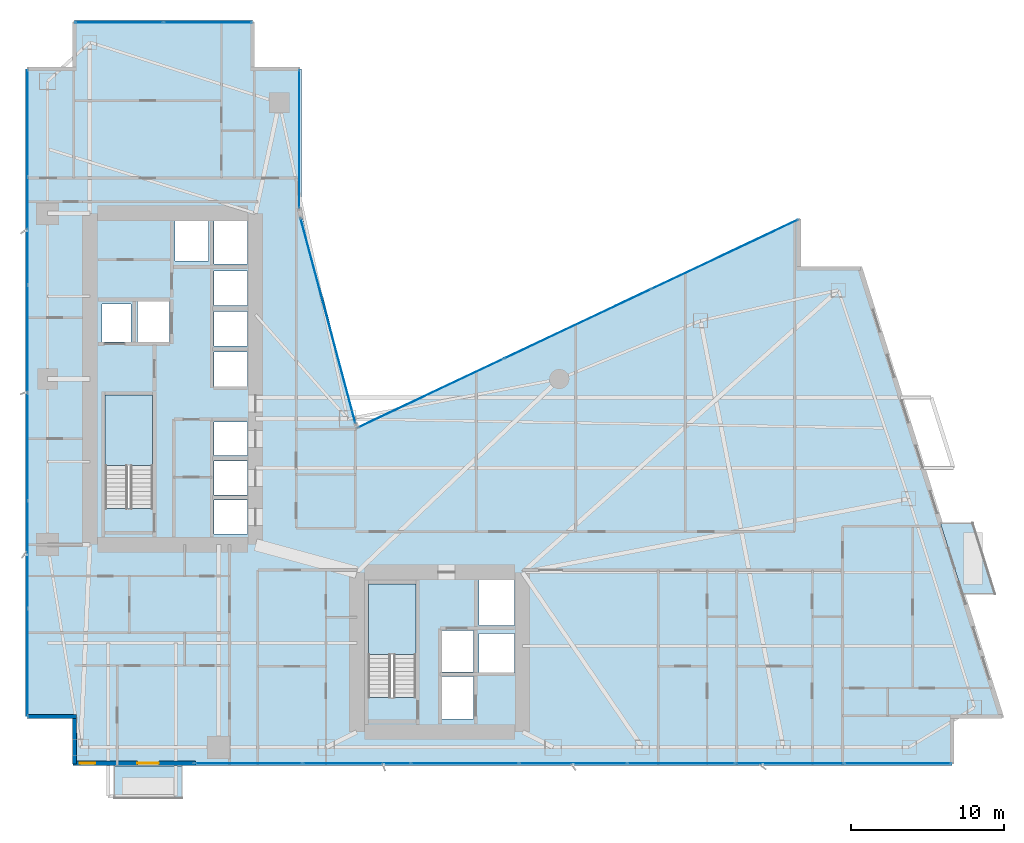
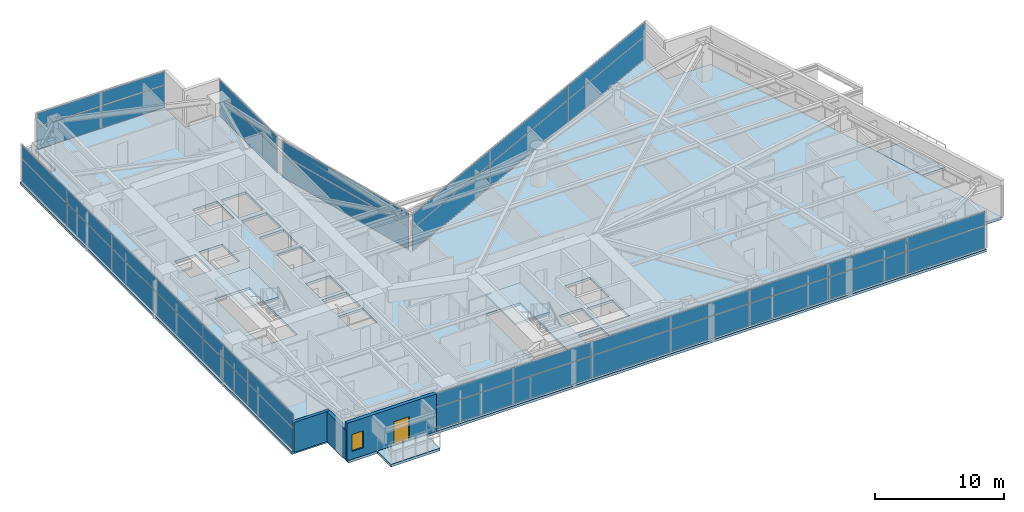
# One storey, part 21 of 29: 40 plates, 5 slabs, 3 walls, 1 door, 1 window, 2 openings, 8 elements without a shape of their own.
"""IFC4 building model written with IfcOpenShell, lengths in metres."""

from ifc_helpers import new_model, si_unit, direction, frame, frame_2d, origin, origin_2d, place, context, subcontext, project, spatial, polyline, rectangle, outline, extrude, material, layer, layer_set, type_object, element, fill, aggregate, save


model = new_model("IFC4")

# Units and contexts
model_context = context("Model", 3, precision=1e-05, world=origin(), true_north=direction((0.0, 1.0)))
body_context = subcontext(model_context, "Body", "Model", "MODEL_VIEW")
ifc_project = project(units=[si_unit("LENGTHUNIT", "METRE"), si_unit("AREAUNIT", "SQUARE_METRE"), si_unit("VOLUMEUNIT", "CUBIC_METRE"), si_unit("PLANEANGLEUNIT", "RADIAN"), si_unit("MASSUNIT", "GRAM", prefix="KILO")], contexts=[model_context])

# Site, building, storey
site_placement = place(None, origin())
site = spatial("IfcSite", under=ifc_project, at=site_placement, CompositionType="ELEMENT")
building_placement = place(site_placement, origin())
building = spatial("IfcBuilding", under=site, at=building_placement, Name="Calvorn Quay Hotel", CompositionType="ELEMENT")
storey_placement = place(building_placement, frame((0.0, 0.0, 85.0)))
storey = spatial("IfcBuildingStorey", under=building, at=storey_placement, Name="L20", CompositionType="ELEMENT", Elevation=85.0)

# Curtain wall, plates
ifc_material_1 = material(Name="Pale Anodised Aluminium and Low-E Glass", Category="aluminium")
ifc_layer_1 = layer(ifc_material_1, 0.219970703125)
ifc_layer_set_1 = layer_set([ifc_layer_1], Name="CW-SYS-Z1")
curtain_wall_type = type_object("IfcCurtainWallType", Name="CW-SYS-Z1", PredefinedType="NOTDEFINED", material=ifc_layer_set_1)
curtain_wall_1_placement = place(storey_placement, origin())
curtain_wall_1 = element("IfcCurtainWall", 1, at=curtain_wall_1_placement, inside=storey, type_object=curtain_wall_type, Name="Tower West Curtain Wall (L20)", PredefinedType="NOTDEFINED")
ifc_material_2 = material(Name="Low-E Laminated Double Glazing", Category="glass")
ifc_layer_2 = layer(ifc_material_2, 0.028076171875)
ifc_layer_set_2 = layer_set([ifc_layer_2], Name="CW-SYS-Z1-PAN")
plate_type = type_object("IfcPlateType", Name="CW-SYS-Z1-PAN", PredefinedType="CURTAIN_PANEL", material=ifc_layer_set_2)
plate_1_placement = place(storey_placement, frame((0.14990234375, 9.131591796875, 0.06005859375), z_axis=(0.0, 0.0, 1.0), x_axis=(0.0, 1.0, 0.0)))
plate_1 = element("IfcPlate", 2, at=plate_1_placement, type_object=plate_type, Name="CW-L20-W panel 1.1", PredefinedType="CURTAIN_PANEL", context=body_context, shape_type="SweptSolid", body=[
    extrude(rectangle(XDim=6.943359375, YDim=0.028076171875, at=origin_2d()), origin(), (0.0, 0.0, 1.0), 2.110107421875),
])
plate_2_placement = place(storey_placement, frame((0.14990234375, 9.131591796875, 2.22998046875), z_axis=(0.0, 0.0, 1.0), x_axis=(0.0, 1.0, 0.0)))
plate_2 = element("IfcPlate", 3, at=plate_2_placement, type_object=plate_type, Name="CW-L20-W panel 1.2", PredefinedType="CURTAIN_PANEL", context=body_context, shape_type="SweptSolid", body=[
    extrude(rectangle(XDim=6.943359375, YDim=0.028076171875, at=origin_2d()), origin(), (0.0, 0.0, 1.0), 1.27001953125),
])
plate_3_placement = place(storey_placement, frame((0.14990234375, 16.14990234375, 0.06005859375), z_axis=(0.0, 0.0, 1.0), x_axis=(0.0, 1.0, 0.0)))
plate_3 = element("IfcPlate", 4, at=plate_3_placement, type_object=plate_type, Name="CW-L20-W panel 2.1", PredefinedType="CURTAIN_PANEL", context=body_context, shape_type="SweptSolid", body=[
    extrude(rectangle(XDim=6.973388671875, YDim=0.028076171875, at=origin_2d()), origin(), (0.0, 0.0, 1.0), 2.110107421875),
])
plate_4_placement = place(storey_placement, frame((0.14990234375, 16.14990234375, 2.22998046875), z_axis=(0.0, 0.0, 1.0), x_axis=(0.0, 1.0, 0.0)))
plate_4 = element("IfcPlate", 5, at=plate_4_placement, type_object=plate_type, Name="CW-L20-W panel 2.2", PredefinedType="CURTAIN_PANEL", context=body_context, shape_type="SweptSolid", body=[
    extrude(rectangle(XDim=6.973388671875, YDim=0.028076171875, at=origin_2d()), origin(), (0.0, 0.0, 1.0), 1.27001953125),
])
plate_5_placement = place(storey_placement, frame((0.14990234375, 23.183349609375, 0.06005859375), z_axis=(0.0, 0.0, 1.0), x_axis=(0.0, 1.0, 0.0)))
plate_5 = element("IfcPlate", 6, at=plate_5_placement, type_object=plate_type, Name="CW-L20-W panel 3.1", PredefinedType="CURTAIN_PANEL", context=body_context, shape_type="SweptSolid", body=[
    extrude(rectangle(XDim=6.973388671875, YDim=0.028076171875, at=origin_2d()), origin(), (0.0, 0.0, 1.0), 2.110107421875),
])
plate_6_placement = place(storey_placement, frame((0.14990234375, 23.183349609375, 2.22998046875), z_axis=(0.0, 0.0, 1.0), x_axis=(0.0, 1.0, 0.0)))
plate_6 = element("IfcPlate", 7, at=plate_6_placement, type_object=plate_type, Name="CW-L20-W panel 3.2", PredefinedType="CURTAIN_PANEL", context=body_context, shape_type="SweptSolid", body=[
    extrude(rectangle(XDim=6.973388671875, YDim=0.028076171875, at=origin_2d()), origin(), (0.0, 0.0, 1.0), 1.27001953125),
])
plate_7_placement = place(storey_placement, frame((0.14990234375, 30.216552734375, 0.06005859375), z_axis=(0.0, 0.0, 1.0), x_axis=(0.0, 1.0, 0.0)))
plate_7 = element("IfcPlate", 8, at=plate_7_placement, type_object=plate_type, Name="CW-L20-W panel 4.1", PredefinedType="CURTAIN_PANEL", context=body_context, shape_type="SweptSolid", body=[
    extrude(rectangle(XDim=6.973388671875, YDim=0.028076171875, at=origin_2d()), origin(), (0.0, 0.0, 1.0), 2.110107421875),
])
plate_8_placement = place(storey_placement, frame((0.14990234375, 30.216552734375, 2.22998046875), z_axis=(0.0, 0.0, 1.0), x_axis=(0.0, 1.0, 0.0)))
plate_8 = element("IfcPlate", 9, at=plate_8_placement, type_object=plate_type, Name="CW-L20-W panel 4.2", PredefinedType="CURTAIN_PANEL", context=body_context, shape_type="SweptSolid", body=[
    extrude(rectangle(XDim=6.973388671875, YDim=0.028076171875, at=origin_2d()), origin(), (0.0, 0.0, 1.0), 1.27001953125),
])
plate_9_placement = place(storey_placement, frame((0.14990234375, 37.25, 0.06005859375), z_axis=(0.0, 0.0, 1.0), x_axis=(0.0, 1.0, 0.0)))
plate_9 = element("IfcPlate", 10, at=plate_9_placement, type_object=plate_type, Name="CW-L20-W panel 5.1", PredefinedType="CURTAIN_PANEL", context=body_context, shape_type="SweptSolid", body=[
    extrude(rectangle(XDim=6.973388671875, YDim=0.028076171875, at=origin_2d()), origin(), (0.0, 0.0, 1.0), 2.110107421875),
])
plate_10_placement = place(storey_placement, frame((0.14990234375, 37.25, 2.22998046875), z_axis=(0.0, 0.0, 1.0), x_axis=(0.0, 1.0, 0.0)))
plate_10 = element("IfcPlate", 11, at=plate_10_placement, type_object=plate_type, Name="CW-L20-W panel 5.2", PredefinedType="CURTAIN_PANEL", context=body_context, shape_type="SweptSolid", body=[
    extrude(rectangle(XDim=6.973388671875, YDim=0.028076171875, at=origin_2d()), origin(), (0.0, 0.0, 1.0), 1.27001953125),
])
plate_11_placement = place(storey_placement, frame((0.14990234375, 44.268310546875, 0.06005859375), z_axis=(0.0, 0.0, 1.0), x_axis=(0.0, 1.0, 0.0)))
plate_11 = element("IfcPlate", 12, at=plate_11_placement, type_object=plate_type, Name="CW-L20-W panel 6.1", PredefinedType="CURTAIN_PANEL", context=body_context, shape_type="SweptSolid", body=[
    extrude(rectangle(XDim=6.943359375, YDim=0.028076171875, at=origin_2d()), origin(), (0.0, 0.0, 1.0), 2.110107421875),
])
plate_12_placement = place(storey_placement, frame((0.14990234375, 44.268310546875, 2.22998046875), z_axis=(0.0, 0.0, 1.0), x_axis=(0.0, 1.0, 0.0)))
plate_12 = element("IfcPlate", 13, at=plate_12_placement, type_object=plate_type, Name="CW-L20-W panel 6.2", PredefinedType="CURTAIN_PANEL", context=body_context, shape_type="SweptSolid", body=[
    extrude(rectangle(XDim=6.943359375, YDim=0.028076171875, at=origin_2d()), origin(), (0.0, 0.0, 1.0), 1.27001953125),
])
aggregate(curtain_wall_1, [plate_1, plate_2, plate_3, plate_4, plate_5, plate_6, plate_7, plate_8, plate_9, plate_10, plate_11, plate_12])

curtain_wall_2_placement = place(storey_placement, origin())
curtain_wall_2 = element("IfcCurtainWall", 14, at=curtain_wall_2_placement, inside=storey, type_object=curtain_wall_type, Name="Tower South Waterfront Curtain Wall (L20)", PredefinedType="NOTDEFINED")
plate_13_placement = place(storey_placement, frame((14.54345703125, 2.550048828125, 0.06005859375), z_axis=(0.0, 0.0, 1.0), x_axis=(1.0, 0.0, 0.0)))
plate_13 = element("IfcPlate", 15, at=plate_13_placement, type_object=plate_type, Name="CW-L20-S panel 1.1", PredefinedType="CURTAIN_PANEL", context=body_context, shape_type="SweptSolid", body=[
    extrude(rectangle(XDim=6.967041015625, YDim=0.028076171875, at=origin_2d()), origin(), (0.0, 0.0, 1.0), 2.110107421875),
])
plate_14_placement = place(storey_placement, frame((14.54345703125, 2.550048828125, 2.22998046875), z_axis=(0.0, 0.0, 1.0), x_axis=(1.0, 0.0, 0.0)))
plate_14 = element("IfcPlate", 16, at=plate_14_placement, type_object=plate_type, Name="CW-L20-S panel 1.2", PredefinedType="CURTAIN_PANEL", context=body_context, shape_type="SweptSolid", body=[
    extrude(rectangle(XDim=6.967041015625, YDim=0.028076171875, at=origin_2d()), origin(), (0.0, 0.0, 1.0), 1.27001953125),
])
plate_15_placement = place(storey_placement, frame((21.585693359375, 2.550048828125, 0.06005859375), z_axis=(0.0, 0.0, 1.0), x_axis=(1.0, 0.0, 0.0)))
plate_15 = element("IfcPlate", 17, at=plate_15_placement, type_object=plate_type, Name="CW-L20-S panel 2.1", PredefinedType="CURTAIN_PANEL", context=body_context, shape_type="SweptSolid", body=[
    extrude(rectangle(XDim=6.9970703125, YDim=0.028076171875, at=origin_2d()), origin(), (0.0, 0.0, 1.0), 2.110107421875),
])
plate_16_placement = place(storey_placement, frame((21.585693359375, 2.550048828125, 2.22998046875), z_axis=(0.0, 0.0, 1.0), x_axis=(1.0, 0.0, 0.0)))
plate_16 = element("IfcPlate", 18, at=plate_16_placement, type_object=plate_type, Name="CW-L20-S panel 2.2", PredefinedType="CURTAIN_PANEL", context=body_context, shape_type="SweptSolid", body=[
    extrude(rectangle(XDim=6.9970703125, YDim=0.028076171875, at=origin_2d()), origin(), (0.0, 0.0, 1.0), 1.27001953125),
])
plate_17_placement = place(storey_placement, frame((28.642822265625, 2.550048828125, 0.06005859375), z_axis=(0.0, 0.0, 1.0), x_axis=(1.0, 0.0, 0.0)))
plate_17 = element("IfcPlate", 19, at=plate_17_placement, type_object=plate_type, Name="CW-L20-S panel 3.1", PredefinedType="CURTAIN_PANEL", context=body_context, shape_type="SweptSolid", body=[
    extrude(rectangle(XDim=6.9970703125, YDim=0.028076171875, at=origin_2d()), origin(), (0.0, 0.0, 1.0), 2.110107421875),
])
plate_18_placement = place(storey_placement, frame((28.642822265625, 2.550048828125, 2.22998046875), z_axis=(0.0, 0.0, 1.0), x_axis=(1.0, 0.0, 0.0)))
plate_18 = element("IfcPlate", 20, at=plate_18_placement, type_object=plate_type, Name="CW-L20-S panel 3.2", PredefinedType="CURTAIN_PANEL", context=body_context, shape_type="SweptSolid", body=[
    extrude(rectangle(XDim=6.9970703125, YDim=0.028076171875, at=origin_2d()), origin(), (0.0, 0.0, 1.0), 1.27001953125),
])
plate_19_placement = place(storey_placement, frame((35.699951171875, 2.550048828125, 0.06005859375), z_axis=(0.0, 0.0, 1.0), x_axis=(1.0, 0.0, 0.0)))
plate_19 = element("IfcPlate", 21, at=plate_19_placement, type_object=plate_type, Name="CW-L20-S panel 4.1", PredefinedType="CURTAIN_PANEL", context=body_context, shape_type="SweptSolid", body=[
    extrude(rectangle(XDim=6.9970703125, YDim=0.028076171875, at=origin_2d()), origin(), (0.0, 0.0, 1.0), 2.110107421875),
])
plate_20_placement = place(storey_placement, frame((35.699951171875, 2.550048828125, 2.22998046875), z_axis=(0.0, 0.0, 1.0), x_axis=(1.0, 0.0, 0.0)))
plate_20 = element("IfcPlate", 22, at=plate_20_placement, type_object=plate_type, Name="CW-L20-S panel 4.2", PredefinedType="CURTAIN_PANEL", context=body_context, shape_type="SweptSolid", body=[
    extrude(rectangle(XDim=6.9970703125, YDim=0.028076171875, at=origin_2d()), origin(), (0.0, 0.0, 1.0), 1.27001953125),
])
plate_21_placement = place(storey_placement, frame((42.757080078125, 2.550048828125, 0.06005859375), z_axis=(0.0, 0.0, 1.0), x_axis=(1.0, 0.0, 0.0)))
plate_21 = element("IfcPlate", 23, at=plate_21_placement, type_object=plate_type, Name="CW-L20-S panel 5.1", PredefinedType="CURTAIN_PANEL", context=body_context, shape_type="SweptSolid", body=[
    extrude(rectangle(XDim=6.9970703125, YDim=0.028076171875, at=origin_2d()), origin(), (0.0, 0.0, 1.0), 2.110107421875),
])
plate_22_placement = place(storey_placement, frame((42.757080078125, 2.550048828125, 2.22998046875), z_axis=(0.0, 0.0, 1.0), x_axis=(1.0, 0.0, 0.0)))
plate_22 = element("IfcPlate", 24, at=plate_22_placement, type_object=plate_type, Name="CW-L20-S panel 5.2", PredefinedType="CURTAIN_PANEL", context=body_context, shape_type="SweptSolid", body=[
    extrude(rectangle(XDim=6.9970703125, YDim=0.028076171875, at=origin_2d()), origin(), (0.0, 0.0, 1.0), 1.27001953125),
])
plate_23_placement = place(storey_placement, frame((49.814208984375, 2.550048828125, 0.06005859375), z_axis=(0.0, 0.0, 1.0), x_axis=(1.0, 0.0, 0.0)))
plate_23 = element("IfcPlate", 25, at=plate_23_placement, type_object=plate_type, Name="CW-L20-S panel 6.1", PredefinedType="CURTAIN_PANEL", context=body_context, shape_type="SweptSolid", body=[
    extrude(rectangle(XDim=6.9970703125, YDim=0.028076171875, at=origin_2d()), origin(), (0.0, 0.0, 1.0), 2.110107421875),
])
plate_24_placement = place(storey_placement, frame((49.814208984375, 2.550048828125, 2.22998046875), z_axis=(0.0, 0.0, 1.0), x_axis=(1.0, 0.0, 0.0)))
plate_24 = element("IfcPlate", 26, at=plate_24_placement, type_object=plate_type, Name="CW-L20-S panel 6.2", PredefinedType="CURTAIN_PANEL", context=body_context, shape_type="SweptSolid", body=[
    extrude(rectangle(XDim=6.9970703125, YDim=0.028076171875, at=origin_2d()), origin(), (0.0, 0.0, 1.0), 1.27001953125),
])
plate_25_placement = place(storey_placement, frame((56.8564453125, 2.550048828125, 0.06005859375), z_axis=(0.0, 0.0, 1.0), x_axis=(1.0, 0.0, 0.0)))
plate_25 = element("IfcPlate", 27, at=plate_25_placement, type_object=plate_type, Name="CW-L20-S panel 7.1", PredefinedType="CURTAIN_PANEL", context=body_context, shape_type="SweptSolid", body=[
    extrude(rectangle(XDim=6.967041015625, YDim=0.028076171875, at=origin_2d()), origin(), (0.0, 0.0, 1.0), 2.110107421875),
])
plate_26_placement = place(storey_placement, frame((56.8564453125, 2.550048828125, 2.22998046875), z_axis=(0.0, 0.0, 1.0), x_axis=(1.0, 0.0, 0.0)))
plate_26 = element("IfcPlate", 28, at=plate_26_placement, type_object=plate_type, Name="CW-L20-S panel 7.2", PredefinedType="CURTAIN_PANEL", context=body_context, shape_type="SweptSolid", body=[
    extrude(rectangle(XDim=6.967041015625, YDim=0.028076171875, at=origin_2d()), origin(), (0.0, 0.0, 1.0), 1.27001953125),
])
aggregate(curtain_wall_2, [plate_13, plate_14, plate_15, plate_16, plate_17, plate_18, plate_19, plate_20, plate_21, plate_22, plate_23, plate_24, plate_25, plate_26])

curtain_wall_3_placement = place(storey_placement, origin())
curtain_wall_3 = element("IfcCurtainWall", 29, at=curtain_wall_3_placement, inside=storey, type_object=curtain_wall_type, Name="Inner Court Curtain Wall L20-NE1", PredefinedType="NOTDEFINED")
plate_27_placement = place(storey_placement, frame((45.58642578125, 35.726806640625, 0.06005859375), z_axis=(0.0, 0.0, 1.0), x_axis=(-0.904248646743, -0.427006305415, 0.0)))
plate_27 = element("IfcPlate", 30, at=plate_27_placement, type_object=plate_type, Name="CW-L20-NE1 panel 1.1", PredefinedType="CURTAIN_PANEL", context=body_context, shape_type="SweptSolid", body=[
    extrude(rectangle(XDim=10.526611328125, YDim=0.028076171875, at=origin_2d()), origin(), (0.0, 0.0, 1.0), 2.110107421875),
])
plate_28_placement = place(storey_placement, frame((45.58642578125, 35.726806640625, 2.22998046875), z_axis=(0.0, 0.0, 1.0), x_axis=(-0.904248646743, -0.427006305415, 0.0)))
plate_28 = element("IfcPlate", 31, at=plate_28_placement, type_object=plate_type, Name="CW-L20-NE1 panel 1.2", PredefinedType="CURTAIN_PANEL", context=body_context, shape_type="SweptSolid", body=[
    extrude(rectangle(XDim=10.526611328125, YDim=0.028076171875, at=origin_2d()), origin(), (0.0, 0.0, 1.0), 1.27001953125),
])
plate_29_placement = place(storey_placement, frame((36.0, 31.199951171875, 0.06005859375), z_axis=(0.0, 0.0, 1.0), x_axis=(-0.904248646743, -0.427006305415, 0.0)))
plate_29 = element("IfcPlate", 32, at=plate_29_placement, type_object=plate_type, Name="CW-L20-NE1 panel 2.1", PredefinedType="CURTAIN_PANEL", context=body_context, shape_type="SweptSolid", body=[
    extrude(rectangle(XDim=10.556640625, YDim=0.028076171875, at=origin_2d()), origin(), (0.0, 0.0, 1.0), 2.110107421875),
])
plate_30_placement = place(storey_placement, frame((36.0, 31.199951171875, 2.22998046875), z_axis=(0.0, 0.0, 1.0), x_axis=(-0.904248646743, -0.427006305415, 0.0)))
plate_30 = element("IfcPlate", 33, at=plate_30_placement, type_object=plate_type, Name="CW-L20-NE1 panel 2.2", PredefinedType="CURTAIN_PANEL", context=body_context, shape_type="SweptSolid", body=[
    extrude(rectangle(XDim=10.556640625, YDim=0.028076171875, at=origin_2d()), origin(), (0.0, 0.0, 1.0), 1.27001953125),
])
plate_31_placement = place(storey_placement, frame((26.41357421875, 26.673095703125, 0.06005859375), z_axis=(0.0, 0.0, 1.0), x_axis=(-0.904248646743, -0.427006305415, 0.0)))
plate_31 = element("IfcPlate", 34, at=plate_31_placement, type_object=plate_type, Name="CW-L20-NE1 panel 3.1", PredefinedType="CURTAIN_PANEL", context=body_context, shape_type="SweptSolid", body=[
    extrude(rectangle(XDim=10.526611328125, YDim=0.028076171875, at=origin_2d()), origin(), (0.0, 0.0, 1.0), 2.110107421875),
])
plate_32_placement = place(storey_placement, frame((26.41357421875, 26.673095703125, 2.22998046875), z_axis=(0.0, 0.0, 1.0), x_axis=(-0.904248646743, -0.427006305415, 0.0)))
plate_32 = element("IfcPlate", 35, at=plate_32_placement, type_object=plate_type, Name="CW-L20-NE1 panel 3.2", PredefinedType="CURTAIN_PANEL", context=body_context, shape_type="SweptSolid", body=[
    extrude(rectangle(XDim=10.526611328125, YDim=0.028076171875, at=origin_2d()), origin(), (0.0, 0.0, 1.0), 1.27001953125),
])
aggregate(curtain_wall_3, [plate_27, plate_28, plate_29, plate_30, plate_31, plate_32])

curtain_wall_4_placement = place(storey_placement, origin())
curtain_wall_4 = element("IfcCurtainWall", 36, at=curtain_wall_4_placement, inside=storey, type_object=curtain_wall_type, Name="Inner Court Curtain Wall L20-IC1", PredefinedType="NOTDEFINED")
plate_33_placement = place(storey_placement, frame((19.72509765625, 31.39990234375, 0.06005859375), z_axis=(0.0, 0.0, 1.0), x_axis=(-0.25877913024, 0.96593652056, 0.0)))
plate_33 = element("IfcPlate", 37, at=plate_33_placement, type_object=plate_type, Name="CW-L20-IC1 panel 1.1", PredefinedType="CURTAIN_PANEL", context=body_context, shape_type="SweptSolid", body=[
    extrude(rectangle(XDim=13.814697265625, YDim=0.028076171875, at=origin_2d()), origin(), (0.0, 0.0, 1.0), 2.110107421875),
])
plate_34_placement = place(storey_placement, frame((19.72509765625, 31.39990234375, 2.22998046875), z_axis=(0.0, 0.0, 1.0), x_axis=(-0.25877913024, 0.96593652056, 0.0)))
plate_34 = element("IfcPlate", 38, at=plate_34_placement, type_object=plate_type, Name="CW-L20-IC1 panel 1.2", PredefinedType="CURTAIN_PANEL", context=body_context, shape_type="SweptSolid", body=[
    extrude(rectangle(XDim=13.814697265625, YDim=0.028076171875, at=origin_2d()), origin(), (0.0, 0.0, 1.0), 1.27001953125),
])
aggregate(curtain_wall_4, [plate_33, plate_34])

curtain_wall_5_placement = place(storey_placement, origin())
curtain_wall_5 = element("IfcCurtainWall", 39, at=curtain_wall_5_placement, inside=storey, type_object=curtain_wall_type, Name="Inner Court Curtain Wall L20-IC2", PredefinedType="NOTDEFINED")
plate_35_placement = place(storey_placement, frame((17.85009765625, 43.239990234375, 0.06005859375), z_axis=(0.0, 0.0, 1.0), x_axis=(0.0, 1.0, 0.0)))
plate_35 = element("IfcPlate", 40, at=plate_35_placement, type_object=plate_type, Name="CW-L20-IC2 panel 1.1", PredefinedType="CURTAIN_PANEL", context=body_context, shape_type="SweptSolid", body=[
    extrude(rectangle(XDim=9.0, YDim=0.028076171875, at=origin_2d()), origin(), (0.0, 0.0, 1.0), 2.110107421875),
])
plate_36_placement = place(storey_placement, frame((17.85009765625, 43.239990234375, 2.22998046875), z_axis=(0.0, 0.0, 1.0), x_axis=(0.0, 1.0, 0.0)))
plate_36 = element("IfcPlate", 41, at=plate_36_placement, type_object=plate_type, Name="CW-L20-IC2 panel 1.2", PredefinedType="CURTAIN_PANEL", context=body_context, shape_type="SweptSolid", body=[
    extrude(rectangle(XDim=9.0, YDim=0.028076171875, at=origin_2d()), origin(), (0.0, 0.0, 1.0), 1.27001953125),
])
aggregate(curtain_wall_5, [plate_35, plate_36])

curtain_wall_6_placement = place(storey_placement, origin())
curtain_wall_6 = element("IfcCurtainWall", 42, at=curtain_wall_6_placement, inside=storey, type_object=curtain_wall_type, Name="Inner Court Curtain Wall L20-N1", PredefinedType="NOTDEFINED")
plate_37_placement = place(storey_placement, frame((11.885009765625, 50.85009765625, 0.06005859375), z_axis=(0.0, 0.0, 1.0), x_axis=(-1.0, 0.0, 0.0)))
plate_37 = element("IfcPlate", 43, at=plate_37_placement, type_object=plate_type, Name="CW-L20-N1 panel 1.1", PredefinedType="CURTAIN_PANEL", context=body_context, shape_type="SweptSolid", body=[
    extrude(rectangle(XDim=5.7099609375, YDim=0.028076171875, at=origin_2d()), origin(), (0.0, 0.0, 1.0), 2.110107421875),
])
plate_38_placement = place(storey_placement, frame((11.885009765625, 50.85009765625, 2.22998046875), z_axis=(0.0, 0.0, 1.0), x_axis=(-1.0, 0.0, 0.0)))
plate_38 = element("IfcPlate", 44, at=plate_38_placement, type_object=plate_type, Name="CW-L20-N1 panel 1.2", PredefinedType="CURTAIN_PANEL", context=body_context, shape_type="SweptSolid", body=[
    extrude(rectangle(XDim=5.7099609375, YDim=0.028076171875, at=origin_2d()), origin(), (0.0, 0.0, 1.0), 1.27001953125),
])
plate_39_placement = place(storey_placement, frame((6.114990234375, 50.85009765625, 0.06005859375), z_axis=(0.0, 0.0, 1.0), x_axis=(-1.0, 0.0, 0.0)))
plate_39 = element("IfcPlate", 45, at=plate_39_placement, type_object=plate_type, Name="CW-L20-N1 panel 2.1", PredefinedType="CURTAIN_PANEL", context=body_context, shape_type="SweptSolid", body=[
    extrude(rectangle(XDim=5.7099609375, YDim=0.028076171875, at=origin_2d()), origin(), (0.0, 0.0, 1.0), 2.110107421875),
])
plate_40_placement = place(storey_placement, frame((6.114990234375, 50.85009765625, 2.22998046875), z_axis=(0.0, 0.0, 1.0), x_axis=(-1.0, 0.0, 0.0)))
plate_40 = element("IfcPlate", 46, at=plate_40_placement, type_object=plate_type, Name="CW-L20-N1 panel 2.2", PredefinedType="CURTAIN_PANEL", context=body_context, shape_type="SweptSolid", body=[
    extrude(rectangle(XDim=5.7099609375, YDim=0.028076171875, at=origin_2d()), origin(), (0.0, 0.0, 1.0), 1.27001953125),
])
aggregate(curtain_wall_6, [plate_37, plate_38, plate_39, plate_40])

# Slabs
ifc_material_3 = material(Name="Concrete C40", Category="concrete")
ifc_layer_3 = layer(ifc_material_3, 0.239990234375)
ifc_layer_set_3 = layer_set([ifc_layer_3], Name="SLB-BALCONY-220")
slab_type_1 = type_object("IfcSlabType", Name="SLB-BALCONY-220", PredefinedType="FLOOR", material=ifc_layer_set_3)
slab_1_placement = place(storey_placement, frame((0.0, 0.0, -0.239990234375)))
element("IfcSlab", 47, at=slab_1_placement, inside=storey, type_object=slab_type_1, Name="Tree Balcony Slab L20-BALC-E", PredefinedType="FLOOR", context=body_context, shape_type="SweptSolid", body=[
    extrude(outline(polyline([(61.089111328125, 13.60009765625), (63.18896484375, 13.60009765625), (61.739990234375, 18.199951171875), (59.639892578125, 18.199951171875), (61.089111328125, 13.60009765625)])), origin(), (0.0, 0.0, 1.0), 0.239990234375),
])
slab_2_placement = place(storey_placement, frame((0.0, 0.0, -0.239990234375)))
element("IfcSlab", 48, at=slab_2_placement, inside=storey, type_object=slab_type_1, Name="Tree Balcony Slab L20-BALC-S", PredefinedType="FLOOR", context=body_context, shape_type="SweptSolid", body=[
    extrude(outline(polyline([(5.800048828125, 0.2900390625), (10.199951171875, 0.2900390625), (10.199951171875, 2.389892578125), (5.800048828125, 2.389892578125), (5.800048828125, 0.2900390625)])), origin(), (0.0, 0.0, 1.0), 0.239990234375),
])

# Stair, slab
ifc_material_4 = material(Name="Concrete C40", Category="concrete")
stair_type = type_object("IfcStairType", Name="STR-CORE-DOGLEG", PredefinedType="HALF_TURN_STAIR", material=ifc_material_4)
stair_1_placement = place(storey_placement, origin())
stair_1 = element("IfcStair", 49, at=stair_1_placement, inside=storey, type_object=stair_type, Name="L20 ST-W", PredefinedType="HALF_TURN_STAIR")
ifc_material_5 = material(Name="Concrete C40", Category="concrete")
ifc_layer_4 = layer(ifc_material_5, 0.199951171875)
ifc_layer_set_4 = layer_set([ifc_layer_4], Name="SLB-STAIR-LANDING-200")
slab_type_2 = type_object("IfcSlabType", Name="SLB-STAIR-LANDING-200", PredefinedType="LANDING", material=ifc_layer_set_4)
slab_3_placement = place(storey_placement, frame((0.0, 0.0, 1.699951171875)))
slab_3 = element("IfcSlab", 50, at=slab_3_placement, type_object=slab_type_2, Name="ST-W landing 1", PredefinedType="LANDING", context=body_context, shape_type="SweptSolid", body=[
    extrude(outline(polyline([(8.300048828125, 21.949951171875), (8.300048828125, 26.550048828125), (5.199951171875, 26.550048828125), (5.199951171875, 21.949951171875), (8.300048828125, 21.949951171875)])), origin(), (0.0, 0.0, 1.0), 0.199951171875),
])
aggregate(stair_1, [slab_3])

stair_2_placement = place(storey_placement, origin())
stair_2 = element("IfcStair", 51, at=stair_2_placement, inside=storey, type_object=stair_type, Name="L20 ST-E", PredefinedType="HALF_TURN_STAIR")
slab_4_placement = place(storey_placement, frame((0.0, 0.0, 1.699951171875)))
slab_4 = element("IfcSlab", 52, at=slab_4_placement, type_object=slab_type_2, Name="ST-E landing 1", PredefinedType="LANDING", context=body_context, shape_type="SweptSolid", body=[
    extrude(outline(polyline([(25.449951171875, 9.64990234375), (25.449951171875, 14.25), (22.35009765625, 14.25), (22.35009765625, 9.64990234375), (25.449951171875, 9.64990234375)])), origin(), (0.0, 0.0, 1.0), 0.199951171875),
])
aggregate(stair_2, [slab_4])

# Slab
ifc_material_6 = material(Name="Concrete C40", Category="concrete")
ifc_layer_5 = layer(ifc_material_6, 0.239990234375)
ifc_layer_set_5 = layer_set([ifc_layer_5], Name="SLB-TOWER-240")
slab_type_3 = type_object("IfcSlabType", Name="SLB-TOWER-240", PredefinedType="FLOOR", material=ifc_layer_set_5)
slab_5_placement = place(storey_placement, frame((0.0, 0.0, -0.239990234375)))
element("IfcSlab", 53, at=slab_5_placement, inside=storey, type_object=slab_type_3, Name="L20 Structural Floor Slab", PredefinedType="FLOOR", context=body_context, shape_type="SweptSolid", body=[
    extrude(outline(polyline([(0.0, 5.60009765625), (3.199951171875, 5.60009765625), (3.199951171875, 2.39990234375), (60.39990234375, 2.39990234375), (60.39990234375, 5.60009765625), (63.60009765625, 5.60009765625), (54.39990234375, 34.800048828125), (50.39990234375, 34.800048828125), (50.39990234375, 38.0), (21.60009765625, 24.39990234375), (18.0, 38.39990234375), (18.0, 47.800048828125), (14.800048828125, 47.800048828125), (14.800048828125, 51.0), (3.199951171875, 51.0), (3.199951171875, 47.800048828125), (0.0, 47.800048828125), (0.0, 5.60009765625)]), holes=[polyline([(5.199951171875, 19.156005859375), (8.300048828125, 19.156005859375), (8.300048828125, 26.550048828125), (5.199951171875, 26.550048828125), (5.199951171875, 19.156005859375)]), polyline([(22.35009765625, 6.85595703125), (25.449951171875, 6.85595703125), (25.449951171875, 14.25), (22.35009765625, 14.25), (22.35009765625, 6.85595703125)]), polyline([(5.0, 30.0), (6.89990234375, 30.0), (6.89990234375, 32.5), (5.0, 32.5), (5.0, 30.0)]), polyline([(7.300048828125, 30.0), (9.39990234375, 30.0), (9.39990234375, 32.64990234375), (7.300048828125, 32.64990234375), (7.300048828125, 30.0)]), polyline([(27.159912109375, 8.5), (29.2099609375, 8.5), (29.2099609375, 11.199951171875), (27.159912109375, 11.199951171875), (27.159912109375, 8.5)]), polyline([(27.159912109375, 5.449951171875), (29.2099609375, 5.449951171875), (29.2099609375, 8.199951171875), (27.159912109375, 8.199951171875), (27.159912109375, 5.449951171875)]), polyline([(12.300048828125, 17.5), (14.489990234375, 17.5), (14.489990234375, 19.699951171875), (12.300048828125, 19.699951171875), (12.300048828125, 17.5)]), polyline([(12.300048828125, 20.050048828125), (14.489990234375, 20.050048828125), (14.489990234375, 22.25), (12.300048828125, 22.25), (12.300048828125, 20.050048828125)]), polyline([(12.300048828125, 22.60009765625), (14.489990234375, 22.60009765625), (14.489990234375, 24.800048828125), (12.300048828125, 24.800048828125), (12.300048828125, 22.60009765625)]), polyline([(12.300048828125, 27.10009765625), (14.489990234375, 27.10009765625), (14.489990234375, 29.35009765625), (12.300048828125, 29.35009765625), (12.300048828125, 27.10009765625)]), polyline([(12.300048828125, 29.75), (14.489990234375, 29.75), (14.489990234375, 32.0), (12.300048828125, 32.0), (12.300048828125, 29.75)]), polyline([(12.300048828125, 32.39990234375), (14.489990234375, 32.39990234375), (14.489990234375, 34.64990234375), (12.300048828125, 34.64990234375), (12.300048828125, 32.39990234375)]), polyline([(12.300048828125, 35.10009765625), (14.489990234375, 35.10009765625), (14.489990234375, 37.889892578125), (12.300048828125, 37.889892578125), (12.300048828125, 35.10009765625)]), polyline([(9.75, 35.300048828125), (11.949951171875, 35.300048828125), (11.949951171875, 37.889892578125), (9.75, 37.889892578125), (9.75, 35.300048828125)]), polyline([(29.550048828125, 11.550048828125), (31.889892578125, 11.550048828125), (31.889892578125, 14.489990234375), (29.550048828125, 14.489990234375), (29.550048828125, 11.550048828125)]), polyline([(29.550048828125, 8.449951171875), (31.889892578125, 8.449951171875), (31.889892578125, 11.0), (29.550048828125, 11.0), (29.550048828125, 8.449951171875)])]), origin(), (0.0, 0.0, 1.0), 0.239990234375),
])

# Wall, openings, door, window
ifc_material_7 = material(Name="Concrete C40", Category="concrete")
ifc_layer_6 = layer(ifc_material_7, 0.320068359375)
ifc_layer_set_6 = layer_set([ifc_layer_6], Name="WL-EXT-SPANDREL-320")
wall_type = type_object("IfcWallType", Name="WL-EXT-SPANDREL-320", PredefinedType="SOLIDWALL", material=ifc_layer_set_6)
wall_1_placement = place(storey_placement, frame((3.10009765625, 2.56005859375, 0.0), z_axis=(0.0, 0.0, 1.0), x_axis=(1.0, 0.0, 0.0)))
wall_1 = element("IfcWall", 54, at=wall_1_placement, inside=storey, type_object=wall_type, Name="South Balcony Exterior Wall (L20)", PredefinedType="SOLIDWALL", context=body_context, shape_type="SweptSolid", body=[
    extrude(rectangle(XDim=8.0, YDim=0.320068359375, at=frame_2d((4.0, 0.0))), origin(), (0.0, 0.0, 1.0), 3.56005859375),
])
opening_1_placement = place(wall_1_placement, frame((0.449951171875, 0.0, 0.75)))
opening_1 = element("IfcOpeningElement", 55, at=opening_1_placement, cuts=wall_1, Name="Opening WSB-L20-1", PredefinedType="OPENING", context=body_context, shape_type="SweptSolid", body=[
    extrude(rectangle(XDim=1.0, YDim=1.60009765625, at=frame_2d((0.5, 0.800048828125))), frame((0.0, 0.169921875, 0.0), z_axis=(0.0, -1.0, 0.0), x_axis=(1.0, 0.0, 0.0)), (0.0, 0.0, 1.0), 0.340087890625),
])
opening_2_placement = place(wall_1_placement, frame((4.199951171875, 0.0, 0.0)))
opening_2 = element("IfcOpeningElement", 56, at=opening_2_placement, cuts=wall_1, Name="Opening DB-L20-2", PredefinedType="OPENING", context=body_context, shape_type="SweptSolid", body=[
    extrude(rectangle(XDim=1.39990234375, YDim=2.25, at=frame_2d((0.699951171875, 1.125))), frame((0.0, 0.169921875, 0.0), z_axis=(0.0, -1.0, 0.0), x_axis=(1.0, 0.0, 0.0)), (0.0, 0.0, 1.0), 0.340087890625),
])
ifc_material_8 = material(Name="Typhoon-Rated Low-E Aluminium Terrace Door", Category="aluminium")
door_type = type_object("IfcDoorType", Name="DR-BALCONY-GLZ-1400", OperationType="NOTDEFINED", PredefinedType="DOOR", material=ifc_material_8)
door_placement = place(opening_2_placement, origin())
door = element("IfcDoor", 57, at=door_placement, inside=storey, type_object=door_type, Name="Tree Balcony Terrace Door L20-BALC-S", OperationType="SINGLE_SWING_LEFT", OverallHeight=2.25, OverallWidth=1.39990234375, PredefinedType="DOOR", context=body_context, shape_type="SweptSolid", body=[
    extrude(rectangle(XDim=1.39990234375, YDim=2.25, at=frame_2d((0.699951171875, 1.125))), frame((0.0, 0.02490234375, 0.0), z_axis=(0.0, -1.0, 0.0), x_axis=(1.0, 0.0, 0.0)), (0.0, 0.0, 1.0), 0.050048828125),
])
fill(opening_2, door)
ifc_material_9 = material(Name="Self-Closing Class B Side Fire Window")
window_type = type_object("IfcWindowType", Name="WIN-REFUGE-NARROW-1000x1600", PartitioningType="SINGLE_PANEL", PredefinedType="WINDOW", material=ifc_material_9)
window_placement = place(opening_1_placement, origin())
window = element("IfcWindow", 58, at=window_placement, inside=storey, type_object=window_type, Name="South Waterfront Side Window (L20)", OverallHeight=1.60009765625, OverallWidth=1.0, PartitioningType="SINGLE_PANEL", PredefinedType="WINDOW", context=body_context, shape_type="SweptSolid", body=[
    extrude(rectangle(XDim=1.0, YDim=1.60009765625, at=frame_2d((0.5, 0.800048828125))), frame((0.0, 0.030029296875, 0.0), z_axis=(0.0, -1.0, 0.0), x_axis=(1.0, 0.0, 0.0)), (0.0, 0.0, 1.0), 0.06005859375),
])
fill(opening_1, window)

# Walls
wall_2_placement = place(storey_placement, frame((0.1201171875, 5.60009765625, 0.0), z_axis=(0.0, 0.0, 1.0), x_axis=(1.0, 0.0, 0.0)))
element("IfcWall", 59, at=wall_2_placement, inside=storey, type_object=wall_type, Name="Notched Corner Spandrel L20-SW1", PredefinedType="SOLIDWALL", context=body_context, shape_type="SweptSolid", body=[
    extrude(rectangle(XDim=3.219970703125, YDim=0.280029296875, at=frame_2d((1.60986328125, 0.0))), origin(), (0.0, 0.0, 1.0), 2.840087890625),
])
wall_3_placement = place(storey_placement, frame((3.199951171875, 5.4599609375, 0.0), z_axis=(0.0, 0.0, 1.0), x_axis=(0.0, -1.0, 0.0)))
element("IfcWall", 60, at=wall_3_placement, inside=storey, type_object=wall_type, Name="Notched Corner Spandrel L20-SW2", PredefinedType="SOLIDWALL", context=body_context, shape_type="SweptSolid", body=[
    extrude(rectangle(XDim=2.93994140625, YDim=0.280029296875, at=frame_2d((1.469970703125, 0.0))), origin(), (0.0, 0.0, 1.0), 2.840087890625),
])

save(model, "model.ifc")
